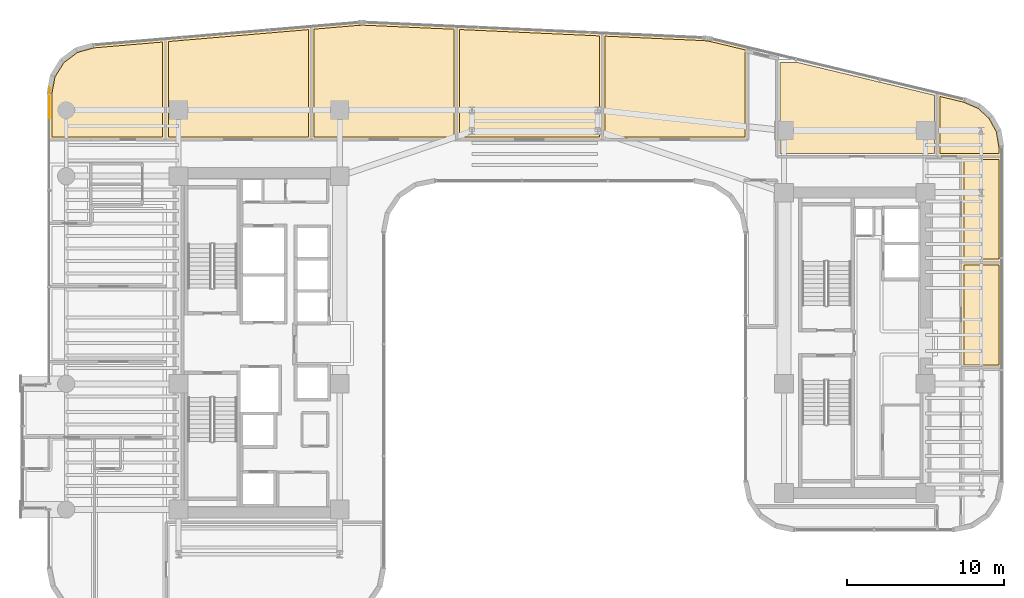
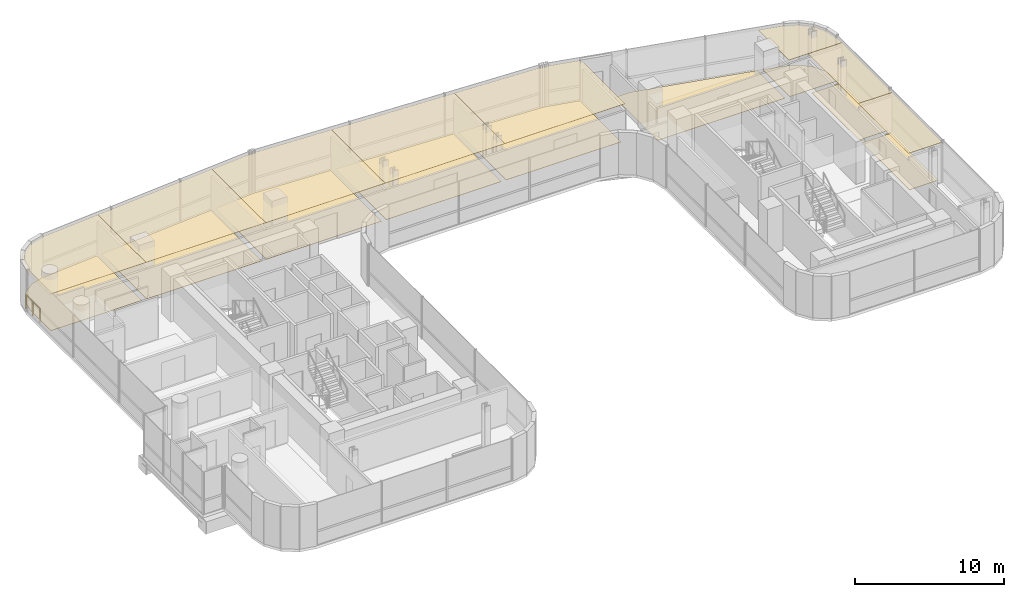
# One storey, part 36 of 37: 17 coverings, 1 railing.
"""IFC4 building model written with IfcOpenShell, lengths in metres."""

from ifc_helpers import new_model, si_unit, direction, frame, origin, origin_2d, place, context, subcontext, project, spatial, polyline, circle, outline, extrude, material, layer, layer_set, type_object, element, save


model = new_model("IFC4")

# Units and contexts
model_context = context("Model", 3, precision=1e-05, world=origin(), true_north=direction((0.0, 1.0)))
body_context = subcontext(model_context, "Body", "Model", "MODEL_VIEW")
ifc_project = project(units=[si_unit("LENGTHUNIT", "METRE"), si_unit("AREAUNIT", "SQUARE_METRE"), si_unit("VOLUMEUNIT", "CUBIC_METRE"), si_unit("PLANEANGLEUNIT", "RADIAN"), si_unit("MASSUNIT", "GRAM", prefix="KILO")], contexts=[model_context])

# Site, building, storey
site_placement = place(None, origin())
site = spatial("IfcSite", under=ifc_project, at=site_placement, CompositionType="ELEMENT")
building_placement = place(site_placement, origin())
building = spatial("IfcBuilding", under=site, at=building_placement, Name="Valdorenza Pilgrim Sanctuary Tower", CompositionType="ELEMENT")
storey_placement = place(building_placement, frame((0.0, 0.0, 135.300048828125)))
storey = spatial("IfcBuildingStorey", under=building, at=storey_placement, Name="L34", CompositionType="ELEMENT", Elevation=135.300048828125)

# Coverings
ifc_material_1 = material(Name="Micro-perforated acoustic mineral ceiling tile", Category="gypsum")
ifc_layer_1 = layer(ifc_material_1, 0.02490234375, Name="Micro-perforated acoustic mineral ceiling tile")
ifc_layer_set_1 = layer_set([ifc_layer_1], Name="Micro-perforated acoustic mineral ceiling tile")
covering_type_1 = type_object("IfcCoveringType", Name="COV-CLG-ACU", PredefinedType="CEILING", material=ifc_layer_set_1)
covering_1_placement = place(storey_placement, frame((0.0, 0.0, 3.159912109375)))
element("IfcCovering", 1, at=covering_1_placement, inside=storey, type_object=covering_type_1, Name="L34 Theological Seminar Classroom L34-N1 Acoustic Ceiling", PredefinedType="CEILING", context=body_context, shape_type="SweptSolid", body=[
    extrude(outline(polyline([(-30.889892578125, 12.905029296875), (-30.8916015625, 12.905029296875), (-30.892822265625, 12.9052734375), (-30.894287109375, 12.905517578125), (-30.895751953125, 12.906005859375), (-30.897216796875, 12.90673828125), (-30.898193359375, 12.907470703125), (-30.8994140625, 12.908447265625), (-30.900634765625, 12.909423828125), (-30.901611328125, 12.910400390625), (-30.902587890625, 12.91162109375), (-30.9033203125, 12.912841796875), (-30.90380859375, 12.914306640625), (-30.904296875, 12.91552734375), (-30.90478515625, 12.9169921875), (-30.90478515625, 12.91845703125), (-30.905029296875, 12.919921875), (-30.905029296875, 15.850341796875), (-30.90478515625, 15.8515625), (-30.90478515625, 15.85302734375), (-30.692138671875, 16.984130859375), (-30.69189453125, 16.985595703125), (-30.69140625, 16.98681640625), (-30.69091796875, 16.98828125), (-30.690185546875, 16.989501953125), (-30.0869140625, 17.95751953125), (-30.086181640625, 17.958740234375), (-30.085205078125, 17.959716796875), (-30.084228515625, 17.960693359375), (-30.083251953125, 17.961669921875), (-29.169677734375, 18.64453125), (-29.16845703125, 18.6455078125), (-29.167236328125, 18.64599609375), (-29.166015625, 18.646484375), (-29.164794921875, 18.647216796875), (-28.055419921875, 18.95458984375), (-28.05419921875, 18.955078125), (-28.052734375, 18.955078125), (-23.4833984375, 19.343505859375), (-23.481689453125, 19.343505859375), (-23.48046875, 19.343505859375), (-23.47900390625, 19.34326171875), (-23.4775390625, 19.343017578125), (-23.47607421875, 19.342529296875), (-23.474853515625, 19.341796875), (-23.4736328125, 19.341064453125), (-23.472412109375, 19.340087890625), (-23.47119140625, 19.339111328125), (-23.470458984375, 19.338134765625), (-23.469482421875, 19.3369140625), (-23.46875, 19.335693359375), (-23.468017578125, 19.334228515625), (-23.467529296875, 19.3330078125), (-23.46728515625, 19.33154296875), (-23.467041015625, 19.330078125), (-23.467041015625, 19.32861328125), (-23.467041015625, 12.919921875), (-23.467041015625, 12.91845703125), (-23.46728515625, 12.9169921875), (-23.467529296875, 12.91552734375), (-23.468017578125, 12.914306640625), (-23.46875, 12.912841796875), (-23.469482421875, 12.91162109375), (-23.470458984375, 12.910400390625), (-23.471435546875, 12.909423828125), (-23.472412109375, 12.908447265625), (-23.4736328125, 12.907470703125), (-23.474853515625, 12.90673828125), (-23.476318359375, 12.906005859375), (-23.4775390625, 12.905517578125), (-23.47900390625, 12.9052734375), (-23.48046875, 12.905029296875), (-23.48193359375, 12.905029296875), (-30.889892578125, 12.905029296875)])), origin(), (0.0, 0.0, 1.0), 0.025146484375),
])
covering_2_placement = place(storey_placement, frame((0.0, 0.0, 3.159912109375)))
element("IfcCovering", 2, at=covering_2_placement, inside=storey, type_object=covering_type_1, Name="L34 Theological Seminar Classroom L34-N2 Acoustic Ceiling", PredefinedType="CEILING", context=body_context, shape_type="SweptSolid", body=[
    extrude(outline(polyline([(-23.4951171875, 19.32861328125), (-23.4951171875, 19.32958984375), (-23.494873046875, 19.3310546875), (-23.49462890625, 19.33251953125), (-23.494140625, 19.333740234375), (-23.49365234375, 19.335205078125), (-23.492919921875, 19.33642578125), (-23.4921875, 19.337646484375), (-23.4912109375, 19.338623046875), (-23.490234375, 19.339599609375), (-23.4892578125, 19.3408203125), (-23.488037109375, 19.341552734375), (-23.48681640625, 19.34228515625), (-23.485595703125, 19.3427734375), (-23.484130859375, 19.34326171875), (-23.482666015625, 19.343505859375), (-23.481201171875, 19.34375), (-14.225341796875, 20.130615234375), (-14.223876953125, 20.130615234375), (-14.222412109375, 20.130615234375), (-14.220947265625, 20.130126953125), (-14.219482421875, 20.1298828125), (-14.218017578125, 20.12939453125), (-14.216796875, 20.128662109375), (-14.215576171875, 20.1279296875), (-14.21435546875, 20.127197265625), (-14.21337890625, 20.126220703125), (-14.21240234375, 20.125), (-14.21142578125, 20.123779296875), (-14.210693359375, 20.12255859375), (-14.210205078125, 20.12109375), (-14.209716796875, 20.119873046875), (-14.209228515625, 20.118408203125), (-14.208984375, 20.116943359375), (-14.208984375, 20.115478515625), (-14.208984375, 12.919921875), (-14.208984375, 12.91845703125), (-14.209228515625, 12.9169921875), (-14.209716796875, 12.91552734375), (-14.210205078125, 12.914306640625), (-14.210693359375, 12.912841796875), (-14.21142578125, 12.91162109375), (-14.21240234375, 12.910400390625), (-14.21337890625, 12.909423828125), (-14.214599609375, 12.908447265625), (-14.2158203125, 12.907470703125), (-14.216796875, 12.90673828125), (-14.21826171875, 12.906005859375), (-14.219482421875, 12.905517578125), (-14.22119140625, 12.9052734375), (-14.222412109375, 12.905029296875), (-14.22412109375, 12.905029296875), (-23.47998046875, 12.905029296875), (-23.4814453125, 12.905029296875), (-23.48291015625, 12.9052734375), (-23.484375, 12.905517578125), (-23.485595703125, 12.906005859375), (-23.487060546875, 12.90673828125), (-23.48828125, 12.907470703125), (-23.489501953125, 12.908447265625), (-23.490478515625, 12.909423828125), (-23.49169921875, 12.910400390625), (-23.492431640625, 12.91162109375), (-23.4931640625, 12.912841796875), (-23.493896484375, 12.914306640625), (-23.494384765625, 12.91552734375), (-23.49462890625, 12.9169921875), (-23.494873046875, 12.91845703125), (-23.4951171875, 12.919921875), (-23.4951171875, 19.32861328125), (-23.4951171875, 19.32861328125)])), origin(), (0.0, 0.0, 1.0), 0.025146484375),
])
covering_3_placement = place(storey_placement, frame((0.0, 0.0, 3.159912109375)))
element("IfcCovering", 3, at=covering_3_placement, inside=storey, type_object=covering_type_1, Name="L34 Theological Seminar Classroom L34-N3 Acoustic Ceiling", PredefinedType="CEILING", context=body_context, shape_type="SweptSolid", body=[
    extrude(outline(polyline([(-14.237060546875, 20.115478515625), (-14.237060546875, 20.116455078125), (-14.23681640625, 20.117919921875), (-14.236572265625, 20.119384765625), (-14.236083984375, 20.12060546875), (-14.235595703125, 20.1220703125), (-14.235107421875, 20.123291015625), (-14.234130859375, 20.12451171875), (-14.2333984375, 20.12548828125), (-14.232421875, 20.126708984375), (-14.231201171875, 20.127685546875), (-14.22998046875, 20.12841796875), (-14.228759765625, 20.129150390625), (-14.2275390625, 20.129638671875), (-14.22607421875, 20.130126953125), (-14.224609375, 20.130615234375), (-14.223388671875, 20.130615234375), (-11.20068359375, 20.3876953125), (-11.200439453125, 20.3876953125), (-11.099365234375, 20.39453125), (-11.098876953125, 20.39453125), (-10.998291015625, 20.398193359375), (-10.997802734375, 20.398193359375), (-10.897216796875, 20.398681640625), (-10.896728515625, 20.398681640625), (-10.79541015625, 20.3955078125), (-10.795166015625, 20.3955078125), (-4.96533203125, 20.130615234375), (-4.9638671875, 20.13037109375), (-4.96240234375, 20.130126953125), (-4.961181640625, 20.1298828125), (-4.959716796875, 20.129150390625), (-4.95849609375, 20.128662109375), (-4.957275390625, 20.127685546875), (-4.956298828125, 20.126953125), (-4.955078125, 20.1259765625), (-4.9541015625, 20.125), (-4.953369140625, 20.123779296875), (-4.95263671875, 20.12255859375), (-4.9521484375, 20.12109375), (-4.95166015625, 20.119873046875), (-4.951416015625, 20.118408203125), (-4.951171875, 20.116943359375), (-4.950927734375, 20.115478515625), (-4.950927734375, 12.919921875), (-4.951171875, 12.91845703125), (-4.951416015625, 12.9169921875), (-4.95166015625, 12.91552734375), (-4.9521484375, 12.914306640625), (-4.952880859375, 12.912841796875), (-4.95361328125, 12.91162109375), (-4.954345703125, 12.910400390625), (-4.955322265625, 12.909423828125), (-4.95654296875, 12.908447265625), (-4.957763671875, 12.907470703125), (-4.958984375, 12.90673828125), (-4.960205078125, 12.906005859375), (-4.961669921875, 12.905517578125), (-4.963134765625, 12.9052734375), (-4.964599609375, 12.905029296875), (-4.966064453125, 12.905029296875), (-14.221923828125, 12.905029296875), (-14.223388671875, 12.905029296875), (-14.224853515625, 12.9052734375), (-14.226318359375, 12.905517578125), (-14.227783203125, 12.906005859375), (-14.22900390625, 12.90673828125), (-14.230224609375, 12.907470703125), (-14.2314453125, 12.908447265625), (-14.232666015625, 12.909423828125), (-14.233642578125, 12.910400390625), (-14.234619140625, 12.91162109375), (-14.235107421875, 12.912841796875), (-14.23583984375, 12.914306640625), (-14.236328125, 12.91552734375), (-14.23681640625, 12.9169921875), (-14.23681640625, 12.91845703125), (-14.237060546875, 12.919921875), (-14.237060546875, 20.115478515625), (-14.237060546875, 20.115478515625)])), origin(), (0.0, 0.0, 1.0), 0.025146484375),
])
covering_4_placement = place(storey_placement, frame((0.0, 0.0, 3.159912109375)))
element("IfcCovering", 4, at=covering_4_placement, inside=storey, type_object=covering_type_1, Name="L34 Theological Seminar Classroom L34-N4 Acoustic Ceiling", PredefinedType="CEILING", context=body_context, shape_type="SweptSolid", body=[
    extrude(outline(polyline([(-4.964111328125, 12.905029296875), (-4.965576171875, 12.905029296875), (-4.966796875, 12.9052734375), (-4.968505859375, 12.905517578125), (-4.9697265625, 12.906005859375), (-4.97119140625, 12.90673828125), (-4.972412109375, 12.907470703125), (-4.973388671875, 12.908447265625), (-4.974609375, 12.909423828125), (-4.9755859375, 12.910400390625), (-4.9765625, 12.91162109375), (-4.977294921875, 12.912841796875), (-4.977783203125, 12.914306640625), (-4.978515625, 12.91552734375), (-4.978759765625, 12.9169921875), (-4.97900390625, 12.91845703125), (-4.97900390625, 12.919921875), (-4.97900390625, 20.115478515625), (-4.97900390625, 20.116943359375), (-4.978759765625, 20.118408203125), (-4.978271484375, 20.1201171875), (-4.977783203125, 20.121337890625), (-4.97705078125, 20.122802734375), (-4.976318359375, 20.1240234375), (-4.975341796875, 20.125244140625), (-4.974365234375, 20.126220703125), (-4.97314453125, 20.127197265625), (-4.971923828125, 20.128173828125), (-4.970703125, 20.12890625), (-4.96923828125, 20.12939453125), (-4.9677734375, 20.1298828125), (-4.96630859375, 20.13037109375), (-4.96484375, 20.130615234375), (-4.96337890625, 20.130615234375), (4.292724609375, 19.709716796875), (4.294189453125, 19.709716796875), (4.29541015625, 19.70947265625), (4.296875, 19.708984375), (4.298095703125, 19.70849609375), (4.299560546875, 19.707763671875), (4.30078125, 19.70703125), (4.3017578125, 19.7060546875), (4.302734375, 19.705078125), (4.3037109375, 19.7041015625), (4.3046875, 19.702880859375), (4.305419921875, 19.70166015625), (4.305908203125, 19.700439453125), (4.306396484375, 19.698974609375), (4.306640625, 19.697509765625), (4.306884765625, 19.6962890625), (4.306884765625, 19.69482421875), (4.306884765625, 12.919921875), (4.306884765625, 12.91845703125), (4.306640625, 12.9169921875), (4.306396484375, 12.91552734375), (4.305908203125, 12.914306640625), (4.30517578125, 12.912841796875), (4.304443359375, 12.91162109375), (4.3037109375, 12.910400390625), (4.302490234375, 12.909423828125), (4.301513671875, 12.908447265625), (4.30029296875, 12.907470703125), (4.299072265625, 12.90673828125), (4.297607421875, 12.906005859375), (4.29638671875, 12.905517578125), (4.294921875, 12.9052734375), (4.29345703125, 12.905029296875), (4.2919921875, 12.905029296875), (-4.964111328125, 12.905029296875)])), origin(), (0.0, 0.0, 1.0), 0.025146484375),
])
covering_5_placement = place(storey_placement, frame((0.0, 0.0, 3.159912109375)))
element("IfcCovering", 5, at=covering_5_placement, inside=storey, type_object=covering_type_1, Name="L34 Theological Seminar Classroom L34-N5 Acoustic Ceiling", PredefinedType="CEILING", context=body_context, shape_type="SweptSolid", body=[
    extrude(outline(polyline([(4.2939453125, 12.905029296875), (4.29248046875, 12.905029296875), (4.291015625, 12.9052734375), (4.28955078125, 12.905517578125), (4.288330078125, 12.906005859375), (4.286865234375, 12.90673828125), (4.28564453125, 12.907470703125), (4.284423828125, 12.908447265625), (4.283447265625, 12.909423828125), (4.282470703125, 12.910400390625), (4.281494140625, 12.91162109375), (4.28076171875, 12.912841796875), (4.280029296875, 12.914306640625), (4.279541015625, 12.91552734375), (4.279296875, 12.9169921875), (4.279052734375, 12.91845703125), (4.279052734375, 12.919921875), (4.279052734375, 19.694580078125), (4.279052734375, 19.6962890625), (4.279296875, 19.69775390625), (4.27978515625, 19.69921875), (4.2802734375, 19.70068359375), (4.281005859375, 19.701904296875), (4.28173828125, 19.703125), (4.28271484375, 19.704345703125), (4.28369140625, 19.70556640625), (4.284912109375, 19.70654296875), (4.285888671875, 19.70751953125), (4.287353515625, 19.7080078125), (4.288818359375, 19.708740234375), (4.290283203125, 19.709228515625), (4.291748046875, 19.70947265625), (4.293212890625, 19.709716796875), (4.294677734375, 19.709716796875), (10.690673828125, 19.4189453125), (10.69091796875, 19.4189453125), (10.838134765625, 19.40869140625), (10.8388671875, 19.40869140625), (10.984375, 19.3916015625), (10.985107421875, 19.3916015625), (11.12939453125, 19.36767578125), (11.130126953125, 19.36767578125), (11.274658203125, 19.336669921875), (11.27490234375, 19.33642578125), (13.553466796875, 18.791015625), (13.554931640625, 18.790771484375), (13.55615234375, 18.790283203125), (13.5576171875, 18.78955078125), (13.55859375, 18.788818359375), (13.559814453125, 18.787841796875), (13.560791015625, 18.786865234375), (13.561767578125, 18.785888671875), (13.5625, 18.78466796875), (13.563232421875, 18.783447265625), (13.56396484375, 18.781982421875), (13.564453125, 18.78076171875), (13.564697265625, 18.779296875), (13.56494140625, 18.778076171875), (13.56494140625, 18.776611328125), (13.56494140625, 12.919921875), (13.56494140625, 12.91845703125), (13.564697265625, 12.9169921875), (13.564453125, 12.91552734375), (13.56396484375, 12.914306640625), (13.563232421875, 12.912841796875), (13.5625, 12.91162109375), (13.5615234375, 12.910400390625), (13.560546875, 12.909423828125), (13.5595703125, 12.908447265625), (13.558349609375, 12.907470703125), (13.55712890625, 12.90673828125), (13.5556640625, 12.906005859375), (13.554443359375, 12.905517578125), (13.552978515625, 12.9052734375), (13.551513671875, 12.905029296875), (13.550048828125, 12.905029296875), (4.2939453125, 12.905029296875)])), origin(), (0.0, 0.0, 1.0), 0.025146484375),
])
covering_6_placement = place(storey_placement, frame((0.0, 0.0, 3.159912109375)))
element("IfcCovering", 6, at=covering_6_placement, inside=storey, type_object=covering_type_1, Name="L34 East Wing Reference Library L34-BNE Acoustic Ceiling", PredefinedType="CEILING", context=body_context, shape_type="SweptSolid", body=[
    extrude(outline(polyline([(27.313720703125, 15.49755859375), (27.31494140625, 15.4970703125), (27.316162109375, 15.49658203125), (28.269775390625, 15.09130859375), (28.271240234375, 15.090576171875), (28.272705078125, 15.089599609375), (28.27392578125, 15.088623046875), (29.034912109375, 14.3994140625), (29.035888671875, 14.398193359375), (29.037109375, 14.39697265625), (29.037841796875, 14.3955078125), (29.531005859375, 13.4951171875), (29.53173828125, 13.49365234375), (29.5322265625, 13.4921875), (29.53271484375, 13.490478515625), (29.704833984375, 12.468994140625), (29.704833984375, 12.467529296875), (29.705078125, 12.46630859375), (29.705078125, 11.85009765625), (29.704833984375, 11.848388671875), (29.70458984375, 11.84716796875), (29.704345703125, 11.845703125), (29.703857421875, 11.84423828125), (29.703125, 11.843017578125), (29.702392578125, 11.841796875), (29.70166015625, 11.840576171875), (29.70068359375, 11.83935546875), (29.699462890625, 11.83837890625), (29.6982421875, 11.83740234375), (29.697021484375, 11.8369140625), (29.69580078125, 11.836181640625), (29.6943359375, 11.835693359375), (29.69287109375, 11.835205078125), (29.69140625, 11.835205078125), (29.68994140625, 11.8349609375), (25.60205078125, 11.8349609375), (25.6005859375, 11.835205078125), (25.59912109375, 11.835205078125), (25.59765625, 11.835693359375), (25.59619140625, 11.836181640625), (25.594970703125, 11.8369140625), (25.59375, 11.83740234375), (25.592529296875, 11.83837890625), (25.59130859375, 11.83935546875), (25.59033203125, 11.840576171875), (25.589599609375, 11.841796875), (25.5888671875, 11.843017578125), (25.588134765625, 11.84423828125), (25.587646484375, 11.845703125), (25.58740234375, 11.84716796875), (25.587158203125, 11.848388671875), (25.5869140625, 11.85009765625), (25.5869140625, 15.891845703125), (25.587158203125, 15.893310546875), (25.58740234375, 15.894775390625), (25.587646484375, 15.896240234375), (25.588134765625, 15.897705078125), (25.5888671875, 15.89892578125), (25.589599609375, 15.900390625), (25.590576171875, 15.901611328125), (25.591552734375, 15.902587890625), (25.5927734375, 15.903564453125), (25.593994140625, 15.904296875), (25.59521484375, 15.9052734375), (25.5966796875, 15.90576171875), (25.597900390625, 15.90625), (25.599609375, 15.906494140625), (25.60107421875, 15.90673828125), (25.6025390625, 15.90673828125), (25.60400390625, 15.906494140625), (25.60546875, 15.906494140625), (27.313720703125, 15.49755859375)])), origin(), (0.0, 0.0, 1.0), 0.025146484375),
])
covering_7_placement = place(storey_placement, frame((0.0, 0.0, 3.159912109375)))
element("IfcCovering", 7, at=covering_7_placement, inside=storey, type_object=covering_type_1, Name="L34 East Sanctuary Scholar Office L34-EG3 Acoustic Ceiling", PredefinedType="CEILING", context=body_context, shape_type="SweptSolid", body=[
    extrude(outline(polyline([(27.0849609375, 5.137939453125), (27.085205078125, 5.139404296875), (27.085205078125, 5.140869140625), (27.085693359375, 5.142333984375), (27.086181640625, 5.143798828125), (27.0869140625, 5.14501953125), (27.08740234375, 5.146240234375), (27.08837890625, 5.1474609375), (27.08935546875, 5.148681640625), (27.090576171875, 5.149658203125), (27.091796875, 5.150390625), (27.093017578125, 5.151123046875), (27.09423828125, 5.15185546875), (27.095703125, 5.15234375), (27.09716796875, 5.152587890625), (27.098388671875, 5.15283203125), (27.10009765625, 5.153076171875), (29.68994140625, 5.153076171875), (29.69140625, 5.15283203125), (29.69287109375, 5.152587890625), (29.6943359375, 5.15234375), (29.69580078125, 5.15185546875), (29.697021484375, 5.151123046875), (29.6982421875, 5.150390625), (29.699462890625, 5.149658203125), (29.70068359375, 5.148681640625), (29.70166015625, 5.1474609375), (29.702392578125, 5.146240234375), (29.703125, 5.14501953125), (29.703857421875, 5.143798828125), (29.704345703125, 5.142333984375), (29.70458984375, 5.140869140625), (29.704833984375, 5.139404296875), (29.705078125, 5.137939453125), (29.705078125, -1.572998046875), (29.704833984375, -1.574462890625), (29.70458984375, -1.575927734375), (29.704345703125, -1.577392578125), (29.703857421875, -1.57861328125), (29.703125, -1.580078125), (29.702392578125, -1.581298828125), (29.70166015625, -1.58251953125), (29.70068359375, -1.58349609375), (29.699462890625, -1.584716796875), (29.6982421875, -1.58544921875), (29.697021484375, -1.586181640625), (29.69580078125, -1.5869140625), (29.6943359375, -1.58740234375), (29.69287109375, -1.587646484375), (29.69140625, -1.587890625), (29.68994140625, -1.587890625), (27.10009765625, -1.587890625), (27.098388671875, -1.587890625), (27.09716796875, -1.587646484375), (27.095703125, -1.58740234375), (27.09423828125, -1.5869140625), (27.093017578125, -1.586181640625), (27.091796875, -1.58544921875), (27.090576171875, -1.584716796875), (27.08935546875, -1.58349609375), (27.08837890625, -1.58251953125), (27.08740234375, -1.581298828125), (27.0869140625, -1.580078125), (27.086181640625, -1.57861328125), (27.085693359375, -1.577392578125), (27.085205078125, -1.575927734375), (27.085205078125, -1.574462890625), (27.0849609375, -1.572998046875), (27.0849609375, 5.137939453125)])), origin(), (0.0, 0.0, 1.0), 0.025146484375),
])
covering_8_placement = place(storey_placement, frame((0.0, 0.0, 3.159912109375)))
element("IfcCovering", 8, at=covering_8_placement, inside=storey, type_object=covering_type_1, Name="L34 East Sanctuary Scholar Office L34-EG4 Acoustic Ceiling", PredefinedType="CEILING", context=body_context, shape_type="SweptSolid", body=[
    extrude(outline(polyline([(27.0849609375, 11.847900390625), (27.085205078125, 11.849609375), (27.085205078125, 11.850830078125), (27.085693359375, 11.852294921875), (27.086181640625, 11.853759765625), (27.0869140625, 11.85498046875), (27.08740234375, 11.856201171875), (27.08837890625, 11.857421875), (27.08935546875, 11.858642578125), (27.090576171875, 11.859619140625), (27.091796875, 11.860595703125), (27.093017578125, 11.861083984375), (27.09423828125, 11.86181640625), (27.095703125, 11.8623046875), (27.09716796875, 11.86279296875), (27.098388671875, 11.86279296875), (27.10009765625, 11.863037109375), (29.68994140625, 11.863037109375), (29.69140625, 11.86279296875), (29.69287109375, 11.86279296875), (29.6943359375, 11.8623046875), (29.69580078125, 11.86181640625), (29.697021484375, 11.861083984375), (29.6982421875, 11.860595703125), (29.699462890625, 11.859619140625), (29.70068359375, 11.858642578125), (29.70166015625, 11.857421875), (29.702392578125, 11.856201171875), (29.703125, 11.85498046875), (29.703857421875, 11.853759765625), (29.704345703125, 11.852294921875), (29.70458984375, 11.850830078125), (29.704833984375, 11.849609375), (29.705078125, 11.847900390625), (29.705078125, 5.139892578125), (29.704833984375, 5.138427734375), (29.70458984375, 5.13720703125), (29.704345703125, 5.135498046875), (29.703857421875, 5.13427734375), (29.703125, 5.1328125), (29.702392578125, 5.131591796875), (29.70166015625, 5.130615234375), (29.70068359375, 5.12939453125), (29.699462890625, 5.12841796875), (29.6982421875, 5.12744140625), (29.697021484375, 5.126708984375), (29.69580078125, 5.126220703125), (29.6943359375, 5.12548828125), (29.69287109375, 5.125244140625), (29.69140625, 5.125), (29.68994140625, 5.125), (27.10009765625, 5.125), (27.098388671875, 5.125), (27.09716796875, 5.125244140625), (27.095703125, 5.12548828125), (27.09423828125, 5.126220703125), (27.093017578125, 5.126708984375), (27.091796875, 5.12744140625), (27.090576171875, 5.12841796875), (27.08935546875, 5.12939453125), (27.08837890625, 5.130615234375), (27.08740234375, 5.131591796875), (27.0869140625, 5.1328125), (27.086181640625, 5.13427734375), (27.085693359375, 5.135498046875), (27.085205078125, 5.13720703125), (27.085205078125, 5.138427734375), (27.0849609375, 5.139892578125), (27.0849609375, 11.847900390625)])), origin(), (0.0, 0.0, 1.0), 0.025146484375),
])
ifc_material_2 = material(Name="Engineered European oak timber flooring", Category="wood")
ifc_layer_2 = layer(ifc_material_2, 0.02197265625, Name="Engineered European oak timber flooring")
ifc_layer_set_2 = layer_set([ifc_layer_2], Name="Engineered European oak timber flooring")
covering_type_2 = type_object("IfcCoveringType", Name="COV-FLR-OAK", PredefinedType="FLOORING", material=ifc_layer_set_2)
covering_9_placement = place(storey_placement, origin())
element("IfcCovering", 9, at=covering_9_placement, inside=storey, type_object=covering_type_2, Name="L34 Theological Seminar Classroom L34-N1 Flooring", PredefinedType="FLOORING", context=body_context, shape_type="SweptSolid", body=[
    extrude(outline(polyline([(-30.7099609375, 13.10009765625), (-30.7099609375, 15.83349609375), (-30.5068359375, 16.9150390625), (-29.939208984375, 17.82568359375), (-29.080078125, 18.46826171875), (-28.01953125, 18.76220703125), (-23.662109375, 19.1328125), (-23.662109375, 13.10009765625), (-30.7099609375, 13.10009765625)])), origin(), (0.0, 0.0, 1.0), 0.02490234375),
])
covering_10_placement = place(storey_placement, origin())
element("IfcCovering", 10, at=covering_10_placement, inside=storey, type_object=covering_type_2, Name="L34 Theological Seminar Classroom L34-N2 Flooring", PredefinedType="FLOORING", context=body_context, shape_type="SweptSolid", body=[
    extrude(outline(polyline([(-23.300048828125, 13.10009765625), (-23.300048828125, 19.163330078125), (-14.404052734375, 19.919677734375), (-14.404052734375, 13.10009765625), (-23.300048828125, 13.10009765625)])), origin(), (0.0, 0.0, 1.0), 0.02490234375),
])
covering_11_placement = place(storey_placement, origin())
element("IfcCovering", 11, at=covering_11_placement, inside=storey, type_object=covering_type_2, Name="L34 Theological Seminar Classroom L34-N3 Flooring", PredefinedType="FLOORING", context=body_context, shape_type="SweptSolid", body=[
    extrude(outline(polyline([(-14.0419921875, 13.10009765625), (-14.0419921875, 19.9501953125), (-11.185546875, 20.193115234375), (-11.0888671875, 20.199951171875), (-10.994140625, 20.203125), (-10.8994140625, 20.20361328125), (-10.802490234375, 20.20068359375), (-5.14599609375, 19.943603515625), (-5.14599609375, 13.10009765625), (-14.0419921875, 13.10009765625)])), origin(), (0.0, 0.0, 1.0), 0.02490234375),
])
covering_12_placement = place(storey_placement, origin())
element("IfcCovering", 12, at=covering_12_placement, inside=storey, type_object=covering_type_2, Name="L34 Theological Seminar Classroom L34-N4 Flooring", PredefinedType="FLOORING", context=body_context, shape_type="SweptSolid", body=[
    extrude(outline(polyline([(-4.783935546875, 13.10009765625), (-4.783935546875, 19.927001953125), (4.112060546875, 19.522705078125), (4.112060546875, 13.10009765625), (-4.783935546875, 13.10009765625)])), origin(), (0.0, 0.0, 1.0), 0.02490234375),
])
covering_13_placement = place(storey_placement, origin())
element("IfcCovering", 13, at=covering_13_placement, inside=storey, type_object=covering_type_2, Name="L34 Theological Seminar Classroom L34-N5 Flooring", PredefinedType="FLOORING", context=body_context, shape_type="SweptSolid", body=[
    extrude(outline(polyline([(4.47412109375, 13.10009765625), (4.47412109375, 19.50634765625), (10.6796875, 19.224365234375), (10.820556640625, 19.214599609375), (10.95751953125, 19.198486328125), (11.093505859375, 19.176025390625), (11.231689453125, 19.146484375), (13.3701171875, 18.634521484375), (13.3701171875, 13.10009765625), (4.47412109375, 13.10009765625)])), origin(), (0.0, 0.0, 1.0), 0.02490234375),
])
ifc_material_3 = material(Name="Honed travertine stone flooring", Category="masonry")
ifc_layer_3 = layer(ifc_material_3, 0.030029296875, Name="Honed travertine stone flooring")
ifc_layer_set_3 = layer_set([ifc_layer_3], Name="Honed travertine stone flooring")
covering_type_3 = type_object("IfcCoveringType", Name="COV-FLR-TRV", PredefinedType="FLOORING", material=ifc_layer_set_3)
covering_14_placement = place(storey_placement, origin())
element("IfcCovering", 14, at=covering_14_placement, inside=storey, type_object=covering_type_3, Name="L34 Curator Research Office L34-BN1 Flooring", PredefinedType="FLOORING", context=body_context, shape_type="SweptSolid", body=[
    extrude(outline(polyline([(15.580078125, 12.030029296875), (15.580078125, 17.820068359375), (16.77294921875, 17.820068359375), (25.419921875, 15.750244140625), (25.419921875, 12.030029296875), (15.580078125, 12.030029296875)])), origin(), (0.0, 0.0, 1.0), 0.02490234375),
])
covering_15_placement = place(storey_placement, origin())
element("IfcCovering", 15, at=covering_15_placement, inside=storey, type_object=covering_type_3, Name="L34 East Wing Reference Library L34-BNE Flooring", PredefinedType="FLOORING", context=body_context, shape_type="SweptSolid", body=[
    extrude(outline(polyline([(27.25390625, 15.311279296875), (28.16552734375, 14.923583984375), (28.88134765625, 14.275390625), (29.345458984375, 13.427978515625), (29.510009765625, 12.451416015625), (29.510009765625, 12.030029296875), (25.781982421875, 12.030029296875), (25.781982421875, 15.66357421875), (27.25390625, 15.311279296875)])), origin(), (0.0, 0.0, 1.0), 0.02490234375),
])
covering_16_placement = place(storey_placement, origin())
element("IfcCovering", 16, at=covering_16_placement, inside=storey, type_object=covering_type_3, Name="L34 East Sanctuary Scholar Office L34-EG3 Flooring", PredefinedType="FLOORING", context=body_context, shape_type="SweptSolid", body=[
    extrude(outline(polyline([(27.280029296875, 4.9580078125), (29.510009765625, 4.9580078125), (29.510009765625, -1.39306640625), (27.280029296875, -1.39306640625), (27.280029296875, 4.9580078125)])), origin(), (0.0, 0.0, 1.0), 0.02490234375),
])
covering_17_placement = place(storey_placement, origin())
element("IfcCovering", 17, at=covering_17_placement, inside=storey, type_object=covering_type_3, Name="L34 East Sanctuary Scholar Office L34-EG4 Flooring", PredefinedType="FLOORING", context=body_context, shape_type="SweptSolid", body=[
    extrude(outline(polyline([(27.280029296875, 11.66796875), (29.510009765625, 11.66796875), (29.510009765625, 5.320068359375), (27.280029296875, 5.320068359375), (27.280029296875, 11.66796875)])), origin(), (0.0, 0.0, 1.0), 0.02490234375),
])

# Railing
ifc_material_4 = material(Name="Stainless steel Grade 316", Category="steel")
railing_type = type_object("IfcRailingType", Name="RLG-GRD-1120", PredefinedType="GUARDRAIL", material=ifc_material_4)
railing_placement = place(storey_placement, frame((-30.860107421875, 14.300048828125, 0.0)))
element("IfcRailing", 18, at=railing_placement, inside=storey, type_object=railing_type, Name="L34 NW Tangent Safety Sill Guard", PredefinedType="GUARDRAIL", context=body_context, shape_type="SweptSolid", body=[
    extrude(circle(Radius=0.02392578125, at=origin_2d()), frame((0.0, 0.0, 1.17578125), z_axis=(0.0, 1.0, 0.0), x_axis=(-1.0, 0.0, 0.0)), (0.0, 0.0, 1.0), 1.89990234375),
    extrude(circle(Radius=0.02099609375, at=origin_2d()), origin(), (0.0, 0.0, 1.0), 1.15185546875),
    extrude(circle(Radius=0.02099609375, at=origin_2d()), frame((0.0, 0.949951171875, 0.0)), (0.0, 0.0, 1.0), 1.15185546875),
    extrude(circle(Radius=0.02099609375, at=origin_2d()), frame((0.0, 1.89990234375, 0.0)), (0.0, 0.0, 1.0), 1.15185546875),
])

save(model, "model.ifc")
